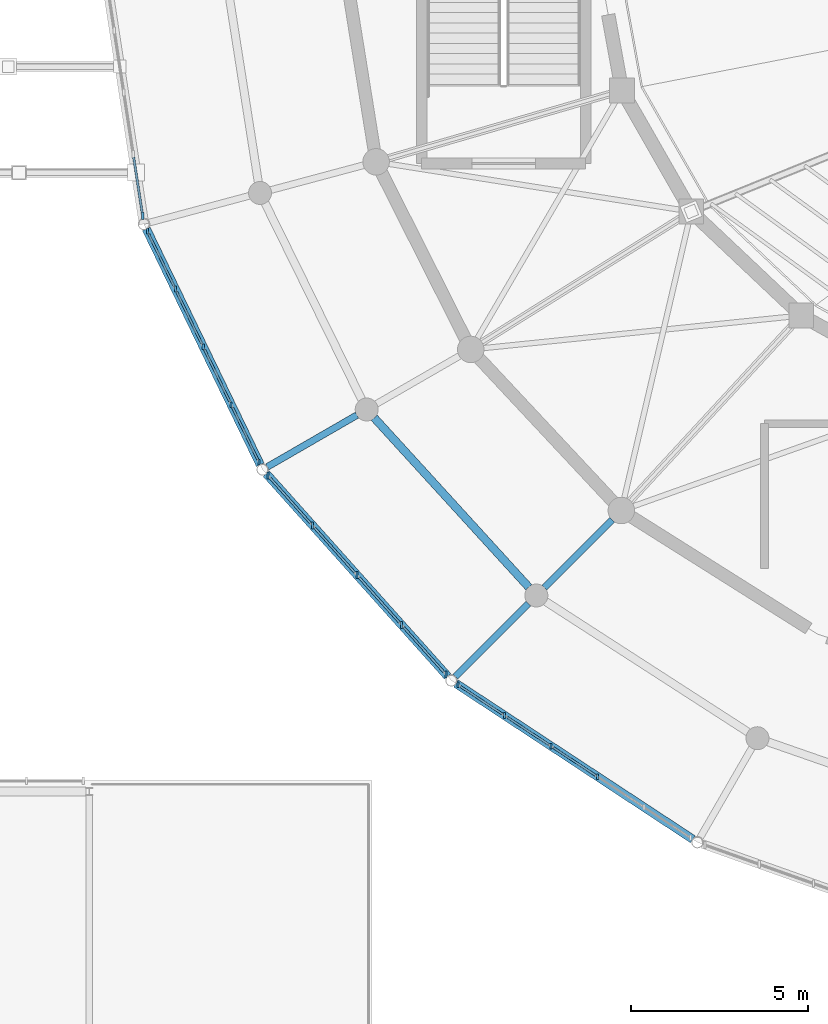
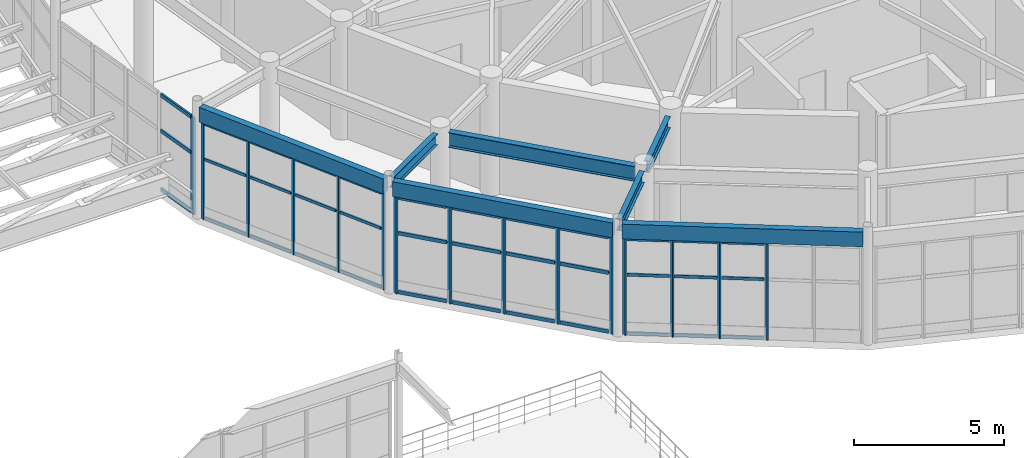
# One storey, part 34 of 144: 51 members, 7 beams, 4 elements without a shape of their own.
"""IFC4 building model written with IfcOpenShell, lengths in metres."""

from ifc_helpers import new_model, si_unit, direction, frame, origin, origin_2d, place, context, subcontext, project, spatial, rectangle, i_section, extrude, material, material_profile, profile_set, type_object, element, aggregate, save


model = new_model("IFC4")

# Units and contexts
model_context = context("Model", 3, precision=1e-05, world=origin(), true_north=direction((0.0, 1.0)))
body_context = subcontext(model_context, "Body", "Model", "MODEL_VIEW")
ifc_project = project(units=[si_unit("LENGTHUNIT", "METRE"), si_unit("AREAUNIT", "SQUARE_METRE"), si_unit("VOLUMEUNIT", "CUBIC_METRE"), si_unit("PLANEANGLEUNIT", "RADIAN"), si_unit("MASSUNIT", "GRAM", prefix="KILO")], contexts=[model_context])

# Site, building, storey
site_placement = place(None, origin())
site = spatial("IfcSite", under=ifc_project, at=site_placement, CompositionType="ELEMENT")
building_placement = place(site_placement, origin())
building = spatial("IfcBuilding", under=site, at=building_placement, Name="Cinderbank Siding Concert Hall", CompositionType="ELEMENT")
storey_placement = place(building_placement, frame((0.0, 0.0, 5.39990234375)))
storey = spatial("IfcBuildingStorey", under=building, at=storey_placement, Name="L02", CompositionType="ELEMENT", Elevation=5.39990234375)

# Beams
ifc_material_1 = material(Name="Structural steel AS/NZS 3679.1 Grade 350 (340 MPa)", Category="steel")
ifc_material_profile_1 = material_profile(ifc_material_1, i_section(OverallWidth=0.19091796875, OverallDepth=0.46044921875, WebThickness=0.010009765625, FlangeThickness=0.01611328125, at=origin_2d()), Name="460UB82.1", Category="LoadBearing")
ifc_profile_set_1 = profile_set([ifc_material_profile_1], Name="Structural steel AS/NZS 3679.1 Grade 350 (340 MPa)")
beam_type_1 = type_object("IfcBeamType", Name="BM-UB460H 460UB82.1", PredefinedType="BEAM", material=ifc_profile_set_1)
beam_1_placement = place(storey_placement, frame((102.7900390625, 28.18408203125, 4.2919921875), z_axis=(-0.707151723938, -0.707061835578, 0.0), x_axis=(0.707061835578, -0.707151723938, 0.0)))
element("IfcBeam", 1, at=beam_1_placement, inside=storey, type_object=beam_type_1, Name="L02 Beam BM-UB460H #512", PredefinedType="BEAM", context=body_context, shape_type="SweptSolid", body=[
    extrude(i_section(OverallWidth=0.19091796875, OverallDepth=0.46044921875, WebThickness=0.010009765625, FlangeThickness=0.01611328125, at=origin_2d()), origin(), (0.0, 0.0, 1.0), 2.716064453125),
])
beam_2_placement = place(storey_placement, frame((95.571533203125, 31.1416015625, 4.331787109375), z_axis=(-0.866013467834, -0.500020673103, 0.0), x_axis=(0.500020673103, -0.866013467834, 0.0)))
element("IfcBeam", 2, at=beam_2_placement, inside=storey, type_object=beam_type_1, Name="L02 Beam BM-UB460H #535", PredefinedType="BEAM", context=body_context, shape_type="SweptSolid", body=[
    extrude(i_section(OverallWidth=0.19091796875, OverallDepth=0.46044921875, WebThickness=0.010009765625, FlangeThickness=0.01611328125, at=origin_2d()), origin(), (0.0, 0.0, 1.0), 2.92919921875),
])
beam_3_placement = place(storey_placement, frame((100.421142578125, 25.815185546875, 4.331787109375), z_axis=(-0.707106781187, -0.707106781187, 0.0), x_axis=(0.707106781187, -0.707106781187, 0.0)))
element("IfcBeam", 3, at=beam_3_placement, inside=storey, type_object=beam_type_1, Name="L02 Beam BM-UB460H #536", PredefinedType="BEAM", context=body_context, shape_type="SweptSolid", body=[
    extrude(i_section(OverallWidth=0.19091796875, OverallDepth=0.46044921875, WebThickness=0.010009765625, FlangeThickness=0.01611328125, at=origin_2d()), origin(), (0.0, 0.0, 1.0), 2.928955078125),
])
ifc_material_profile_2 = material_profile(ifc_material_1, i_section(OverallWidth=0.22802734375, OverallDepth=0.60693359375, WebThickness=0.01123046875, FlangeThickness=0.017333984375, at=origin_2d()), Name="610UB113", Category="LoadBearing")
ifc_profile_set_2 = profile_set([ifc_material_profile_2], Name="Structural steel AS/NZS 3679.1 Grade 350 (340 MPa)")
beam_type_2 = type_object("IfcBeamType", Name="BM-UB610M 610UB113", PredefinedType="BEAM", material=ifc_profile_set_2)
beam_4_placement = place(storey_placement, frame((96.059814453125, 31.06591796875, 4.218505859375), z_axis=(0.67395874418, -0.73876898361, 0.0), x_axis=(0.73876898361, 0.67395874418, 0.0)))
element("IfcBeam", 4, at=beam_4_placement, inside=storey, type_object=beam_type_2, Name="L02 Beam BM-UB610M #454", PredefinedType="BEAM", context=body_context, shape_type="SweptSolid", body=[
    extrude(i_section(OverallWidth=0.22802734375, OverallDepth=0.60693359375, WebThickness=0.01123046875, FlangeThickness=0.017333984375, at=origin_2d()), origin(), (0.0, 0.0, 1.0), 6.48681640625),
])

# Curtain wall, members
ifc_material_2 = material(Name="Anodised aluminium alloy 6063-T6", Category="aluminium")
curtain_wall_type_1 = type_object("IfcCurtainWallType", Name="CW-02 Unitised Acoustic Curtain Wall 7800x4400", PredefinedType="NOTDEFINED", material=ifc_material_2)
curtain_wall_1_placement = place(storey_placement, origin())
curtain_wall_1 = element("IfcCurtainWall", 5, at=curtain_wall_1_placement, inside=storey, type_object=curtain_wall_type_1, Name="L02 Curtain Wall CW-02 #14", PredefinedType="NOTDEFINED")
ifc_material_profile_3 = material_profile(ifc_material_2, rectangle(XDim=0.06005859375, YDim=0.159912109375, at=origin_2d()), Name="ALU-MULL-60x160", Category="LoadBearing")
ifc_profile_set_3 = profile_set([ifc_material_profile_3], Name="Anodised aluminium alloy 6063-T6")
member_type_1 = type_object("IfcMemberType", Name="CW-ML1 Mullion 60x160", PredefinedType="MULLION", material=ifc_profile_set_3)
member_1_placement = place(storey_placement, frame((89.6435546875, 36.341796875, 0.0), z_axis=(0.0, 0.0, 1.0), x_axis=(1.0, 0.0, 0.0)))
member_1 = element("IfcMember", 6, at=member_1_placement, type_object=member_type_1, Name="CW-L02-014 Mullion 0", PredefinedType="MULLION", context=body_context, shape_type="SweptSolid", body=[
    extrude(rectangle(XDim=0.06005859375, YDim=0.159912109375, at=origin_2d()), origin(), (0.0, 0.0, 1.0), 3.947021484375),
])
member_2_placement = place(storey_placement, frame((90.433349609375, 34.707275390625, 0.0), z_axis=(0.0, 0.0, 1.0), x_axis=(1.0, 0.0, 0.0)))
member_2 = element("IfcMember", 7, at=member_2_placement, type_object=member_type_1, Name="CW-L02-014 Mullion 1", PredefinedType="MULLION", context=body_context, shape_type="SweptSolid", body=[
    extrude(rectangle(XDim=0.06005859375, YDim=0.159912109375, at=origin_2d()), origin(), (0.0, 0.0, 1.0), 3.947021484375),
])
member_3_placement = place(storey_placement, frame((91.22314453125, 33.072998046875, 0.0), z_axis=(0.0, 0.0, 1.0), x_axis=(1.0, 0.0, 0.0)))
member_3 = element("IfcMember", 8, at=member_3_placement, type_object=member_type_1, Name="CW-L02-014 Mullion 2", PredefinedType="MULLION", context=body_context, shape_type="SweptSolid", body=[
    extrude(rectangle(XDim=0.06005859375, YDim=0.159912109375, at=origin_2d()), origin(), (0.0, 0.0, 1.0), 3.947021484375),
])
member_4_placement = place(storey_placement, frame((92.012939453125, 31.438720703125, 0.0), z_axis=(0.0, 0.0, 1.0), x_axis=(1.0, 0.0, 0.0)))
member_4 = element("IfcMember", 9, at=member_4_placement, type_object=member_type_1, Name="CW-L02-014 Mullion 3", PredefinedType="MULLION", context=body_context, shape_type="SweptSolid", body=[
    extrude(rectangle(XDim=0.06005859375, YDim=0.159912109375, at=origin_2d()), origin(), (0.0, 0.0, 1.0), 3.947021484375),
])
member_5_placement = place(storey_placement, frame((92.802734375, 29.80419921875, 0.0), z_axis=(0.0, 0.0, 1.0), x_axis=(1.0, 0.0, 0.0)))
member_5 = element("IfcMember", 10, at=member_5_placement, type_object=member_type_1, Name="CW-L02-014 Mullion 4", PredefinedType="MULLION", context=body_context, shape_type="SweptSolid", body=[
    extrude(rectangle(XDim=0.06005859375, YDim=0.159912109375, at=origin_2d()), origin(), (0.0, 0.0, 1.0), 3.947021484375),
])

curtain_wall_type_2 = type_object("IfcCurtainWallType", Name="CW-04 Unitised Acoustic Curtain Wall 7000x4400", PredefinedType="NOTDEFINED", material=ifc_material_2)
curtain_wall_2_placement = place(storey_placement, origin())
curtain_wall_2 = element("IfcCurtainWall", 11, at=curtain_wall_2_placement, inside=storey, type_object=curtain_wall_type_2, Name="L02 Curtain Wall CW-04 #16", PredefinedType="NOTDEFINED")
member_6_placement = place(storey_placement, frame((98.430908203125, 23.510498046875, 0.0), z_axis=(0.0, 0.0, 1.0), x_axis=(1.0, 0.0, 0.0)))
member_6 = element("IfcMember", 12, at=member_6_placement, type_object=member_type_1, Name="CW-L02-016 Mullion 0", PredefinedType="MULLION", context=body_context, shape_type="SweptSolid", body=[
    extrude(rectangle(XDim=0.06005859375, YDim=0.159912109375, at=origin_2d()), origin(), (0.0, 0.0, 1.0), 3.947021484375),
])
member_7_placement = place(storey_placement, frame((99.74658203125, 22.64501953125, 0.0), z_axis=(0.0, 0.0, 1.0), x_axis=(1.0, 0.0, 0.0)))
member_7 = element("IfcMember", 13, at=member_7_placement, type_object=member_type_1, Name="CW-L02-016 Mullion 1", PredefinedType="MULLION", context=body_context, shape_type="SweptSolid", body=[
    extrude(rectangle(XDim=0.06005859375, YDim=0.159912109375, at=origin_2d()), origin(), (0.0, 0.0, 1.0), 3.947021484375),
])
member_8_placement = place(storey_placement, frame((101.0625, 21.779541015625, 0.0), z_axis=(0.0, 0.0, 1.0), x_axis=(1.0, 0.0, 0.0)))
member_8 = element("IfcMember", 14, at=member_8_placement, type_object=member_type_1, Name="CW-L02-016 Mullion 2", PredefinedType="MULLION", context=body_context, shape_type="SweptSolid", body=[
    extrude(rectangle(XDim=0.06005859375, YDim=0.159912109375, at=origin_2d()), origin(), (0.0, 0.0, 1.0), 3.947021484375),
])
member_9_placement = place(storey_placement, frame((102.378662109375, 20.914306640625, 0.0), z_axis=(0.0, 0.0, 1.0), x_axis=(1.0, 0.0, 0.0)))
member_9 = element("IfcMember", 15, at=member_9_placement, type_object=member_type_1, Name="CW-L02-016 Mullion 3", PredefinedType="MULLION", context=body_context, shape_type="SweptSolid", body=[
    extrude(rectangle(XDim=0.06005859375, YDim=0.159912109375, at=origin_2d()), origin(), (0.0, 0.0, 1.0), 3.947021484375),
])

# Curtain wall, member
curtain_wall_type_3 = type_object("IfcCurtainWallType", Name="CW-01 Unitised Acoustic Curtain Wall 8200x4400", PredefinedType="NOTDEFINED", material=ifc_material_2)
curtain_wall_3_placement = place(storey_placement, origin())
curtain_wall_3 = element("IfcCurtainWall", 16, at=curtain_wall_3_placement, inside=storey, type_object=curtain_wall_type_3, Name="L02 Curtain Wall CW-01 #13", PredefinedType="NOTDEFINED")
ifc_material_profile_4 = material_profile(ifc_material_2, rectangle(XDim=0.06494140625, YDim=0.199951171875, at=origin_2d()), Name="ALU-MULL-65x200", Category="LoadBearing")
ifc_profile_set_4 = profile_set([ifc_material_profile_4], Name="Anodised aluminium alloy 6063-T6")
member_type_2 = type_object("IfcMemberType", Name="CW-ML2 Mullion 65x200", PredefinedType="MULLION", material=ifc_profile_set_4)
member_10_placement = place(storey_placement, frame((89.510498046875, 36.770263671875, 0.0), z_axis=(0.0, 0.0, 1.0), x_axis=(1.0, 0.0, 0.0)))
member_10 = element("IfcMember", 17, at=member_10_placement, type_object=member_type_2, Name="CW-L02-013 Mullion 4", PredefinedType="MULLION", context=body_context, shape_type="SweptSolid", body=[
    extrude(rectangle(XDim=0.06494140625, YDim=0.199951171875, at=origin_2d()), origin(), (0.0, 0.0, 1.0), 3.947021484375),
])

# Curtain wall, members
curtain_wall_type_4 = type_object("IfcCurtainWallType", Name="CW-03 Unitised Acoustic Curtain Wall 7400x4400", PredefinedType="NOTDEFINED", material=ifc_material_2)
curtain_wall_4_placement = place(storey_placement, origin())
curtain_wall_4 = element("IfcCurtainWall", 18, at=curtain_wall_4_placement, inside=storey, type_object=curtain_wall_type_4, Name="L02 Curtain Wall CW-03 #15", PredefinedType="NOTDEFINED")
member_11_placement = place(storey_placement, frame((93.052978515625, 29.430908203125, 0.0), z_axis=(0.0, 0.0, 1.0), x_axis=(1.0, 0.0, 0.0)))
member_11 = element("IfcMember", 19, at=member_11_placement, type_object=member_type_2, Name="CW-L02-015 Mullion 0", PredefinedType="MULLION", context=body_context, shape_type="SweptSolid", body=[
    extrude(rectangle(XDim=0.06494140625, YDim=0.199951171875, at=origin_2d()), origin(), (0.0, 0.0, 1.0), 3.947021484375),
])
member_12_placement = place(storey_placement, frame((94.31201171875, 28.0244140625, 0.0), z_axis=(0.0, 0.0, 1.0), x_axis=(1.0, 0.0, 0.0)))
member_12 = element("IfcMember", 20, at=member_12_placement, type_object=member_type_2, Name="CW-L02-015 Mullion 1", PredefinedType="MULLION", context=body_context, shape_type="SweptSolid", body=[
    extrude(rectangle(XDim=0.06494140625, YDim=0.199951171875, at=origin_2d()), origin(), (0.0, 0.0, 1.0), 3.947021484375),
])
member_13_placement = place(storey_placement, frame((95.5712890625, 26.61767578125, 0.0), z_axis=(0.0, 0.0, 1.0), x_axis=(1.0, 0.0, 0.0)))
member_13 = element("IfcMember", 21, at=member_13_placement, type_object=member_type_2, Name="CW-L02-015 Mullion 2", PredefinedType="MULLION", context=body_context, shape_type="SweptSolid", body=[
    extrude(rectangle(XDim=0.06494140625, YDim=0.199951171875, at=origin_2d()), origin(), (0.0, 0.0, 1.0), 3.947021484375),
])
member_14_placement = place(storey_placement, frame((96.83056640625, 25.2109375, 0.0), z_axis=(0.0, 0.0, 1.0), x_axis=(1.0, 0.0, 0.0)))
member_14 = element("IfcMember", 22, at=member_14_placement, type_object=member_type_2, Name="CW-L02-015 Mullion 3", PredefinedType="MULLION", context=body_context, shape_type="SweptSolid", body=[
    extrude(rectangle(XDim=0.06494140625, YDim=0.199951171875, at=origin_2d()), origin(), (0.0, 0.0, 1.0), 3.947021484375),
])
member_15_placement = place(storey_placement, frame((98.08984375, 23.804443359375, 0.0), z_axis=(0.0, 0.0, 1.0), x_axis=(1.0, 0.0, 0.0)))
member_15 = element("IfcMember", 23, at=member_15_placement, type_object=member_type_2, Name="CW-L02-015 Mullion 4", PredefinedType="MULLION", context=body_context, shape_type="SweptSolid", body=[
    extrude(rectangle(XDim=0.06494140625, YDim=0.199951171875, at=origin_2d()), origin(), (0.0, 0.0, 1.0), 3.947021484375),
])

# Member
ifc_material_profile_5 = material_profile(ifc_material_2, rectangle(XDim=0.06005859375, YDim=0.1201171875, at=origin_2d()), Name="ALU-TRAN-60x120", Category="LoadBearing")
ifc_profile_set_5 = profile_set([ifc_material_profile_5], Name="Anodised aluminium alloy 6063-T6")
member_type_3 = type_object("IfcMemberType", Name="CW-TR1 Transom 60x120", PredefinedType="USERDEFINED", material=ifc_profile_set_5)
member_16_placement = place(storey_placement, frame((89.68310546875, 36.260009765625, 0.06005859375), z_axis=(0.435037415308, -0.900412376238, 0.0), x_axis=(0.900412376238, 0.435037415308, 0.0)))
member_16 = element("IfcMember", 24, at=member_16_placement, type_object=member_type_3, Name="CW-L02-014 Transom 0-0", ObjectType="TRANSOM", PredefinedType="USERDEFINED", context=body_context, shape_type="SweptSolid", body=[
    extrude(rectangle(XDim=0.06005859375, YDim=0.1201171875, at=origin_2d()), origin(), (0.0, 0.0, 1.0), 1.633544921875),
])

member_17_placement = place(storey_placement, frame((89.68310546875, 36.260009765625, 2.447265625), z_axis=(0.435037415308, -0.900412376238, 0.0), x_axis=(0.900412376238, 0.435037415308, 0.0)))
member_17 = element("IfcMember", 25, at=member_17_placement, type_object=member_type_3, Name="CW-L02-014 Transom 0-1", ObjectType="TRANSOM", PredefinedType="USERDEFINED", context=body_context, shape_type="SweptSolid", body=[
    extrude(rectangle(XDim=0.06005859375, YDim=0.1201171875, at=origin_2d()), origin(), (0.0, 0.0, 1.0), 1.633544921875),
])

member_18_placement = place(storey_placement, frame((89.68310546875, 36.260009765625, 3.88720703125), z_axis=(0.435037415308, -0.900412376238, 0.0), x_axis=(0.900412376238, 0.435037415308, 0.0)))
member_18 = element("IfcMember", 26, at=member_18_placement, type_object=member_type_3, Name="CW-L02-014 Transom 0-2", ObjectType="TRANSOM", PredefinedType="USERDEFINED", context=body_context, shape_type="SweptSolid", body=[
    extrude(rectangle(XDim=0.06005859375, YDim=0.1201171875, at=origin_2d()), origin(), (0.0, 0.0, 1.0), 1.633544921875),
])

member_19_placement = place(storey_placement, frame((90.472900390625, 34.62548828125, 0.06005859375), z_axis=(0.435095962233, -0.900384086737, 0.0), x_axis=(0.900384086737, 0.435095962233, 0.0)))
member_19 = element("IfcMember", 27, at=member_19_placement, type_object=member_type_3, Name="CW-L02-014 Transom 1-0", ObjectType="TRANSOM", PredefinedType="USERDEFINED", context=body_context, shape_type="SweptSolid", body=[
    extrude(rectangle(XDim=0.06005859375, YDim=0.1201171875, at=origin_2d()), origin(), (0.0, 0.0, 1.0), 1.63330078125),
])

member_20_placement = place(storey_placement, frame((90.472900390625, 34.62548828125, 2.447265625), z_axis=(0.435095962233, -0.900384086737, 0.0), x_axis=(0.900384086737, 0.435095962233, 0.0)))
member_20 = element("IfcMember", 28, at=member_20_placement, type_object=member_type_3, Name="CW-L02-014 Transom 1-1", ObjectType="TRANSOM", PredefinedType="USERDEFINED", context=body_context, shape_type="SweptSolid", body=[
    extrude(rectangle(XDim=0.06005859375, YDim=0.1201171875, at=origin_2d()), origin(), (0.0, 0.0, 1.0), 1.63330078125),
])

member_21_placement = place(storey_placement, frame((90.472900390625, 34.62548828125, 3.88720703125), z_axis=(0.435095962233, -0.900384086737, 0.0), x_axis=(0.900384086737, 0.435095962233, 0.0)))
member_21 = element("IfcMember", 29, at=member_21_placement, type_object=member_type_3, Name="CW-L02-014 Transom 1-2", ObjectType="TRANSOM", PredefinedType="USERDEFINED", context=body_context, shape_type="SweptSolid", body=[
    extrude(rectangle(XDim=0.06005859375, YDim=0.1201171875, at=origin_2d()), origin(), (0.0, 0.0, 1.0), 1.63330078125),
])

member_22_placement = place(storey_placement, frame((91.2626953125, 32.9912109375, 0.06005859375), z_axis=(0.435095962233, -0.900384086737, 0.0), x_axis=(0.900384086737, 0.435095962233, 0.0)))
member_22 = element("IfcMember", 30, at=member_22_placement, type_object=member_type_3, Name="CW-L02-014 Transom 2-0", ObjectType="TRANSOM", PredefinedType="USERDEFINED", context=body_context, shape_type="SweptSolid", body=[
    extrude(rectangle(XDim=0.06005859375, YDim=0.1201171875, at=origin_2d()), origin(), (0.0, 0.0, 1.0), 1.63330078125),
])

member_23_placement = place(storey_placement, frame((91.2626953125, 32.9912109375, 2.447265625), z_axis=(0.435095962233, -0.900384086737, 0.0), x_axis=(0.900384086737, 0.435095962233, 0.0)))
member_23 = element("IfcMember", 31, at=member_23_placement, type_object=member_type_3, Name="CW-L02-014 Transom 2-1", ObjectType="TRANSOM", PredefinedType="USERDEFINED", context=body_context, shape_type="SweptSolid", body=[
    extrude(rectangle(XDim=0.06005859375, YDim=0.1201171875, at=origin_2d()), origin(), (0.0, 0.0, 1.0), 1.63330078125),
])

member_24_placement = place(storey_placement, frame((91.2626953125, 32.9912109375, 3.88720703125), z_axis=(0.435095962233, -0.900384086737, 0.0), x_axis=(0.900384086737, 0.435095962233, 0.0)))
member_24 = element("IfcMember", 32, at=member_24_placement, type_object=member_type_3, Name="CW-L02-014 Transom 2-2", ObjectType="TRANSOM", PredefinedType="USERDEFINED", context=body_context, shape_type="SweptSolid", body=[
    extrude(rectangle(XDim=0.06005859375, YDim=0.1201171875, at=origin_2d()), origin(), (0.0, 0.0, 1.0), 1.63330078125),
])

member_25_placement = place(storey_placement, frame((92.052490234375, 31.35693359375, 0.06005859375), z_axis=(0.435037415308, -0.900412376238, 0.0), x_axis=(0.900412376238, 0.435037415308, 0.0)))
member_25 = element("IfcMember", 33, at=member_25_placement, type_object=member_type_3, Name="CW-L02-014 Transom 3-0", ObjectType="TRANSOM", PredefinedType="USERDEFINED", context=body_context, shape_type="SweptSolid", body=[
    extrude(rectangle(XDim=0.06005859375, YDim=0.1201171875, at=origin_2d()), origin(), (0.0, 0.0, 1.0), 1.633544921875),
])

member_26_placement = place(storey_placement, frame((92.052490234375, 31.35693359375, 2.447265625), z_axis=(0.435037415308, -0.900412376238, 0.0), x_axis=(0.900412376238, 0.435037415308, 0.0)))
member_26 = element("IfcMember", 34, at=member_26_placement, type_object=member_type_3, Name="CW-L02-014 Transom 3-1", ObjectType="TRANSOM", PredefinedType="USERDEFINED", context=body_context, shape_type="SweptSolid", body=[
    extrude(rectangle(XDim=0.06005859375, YDim=0.1201171875, at=origin_2d()), origin(), (0.0, 0.0, 1.0), 1.633544921875),
])

member_27_placement = place(storey_placement, frame((92.052490234375, 31.35693359375, 3.88720703125), z_axis=(0.435037415308, -0.900412376238, 0.0), x_axis=(0.900412376238, 0.435037415308, 0.0)))
member_27 = element("IfcMember", 35, at=member_27_placement, type_object=member_type_3, Name="CW-L02-014 Transom 3-2", ObjectType="TRANSOM", PredefinedType="USERDEFINED", context=body_context, shape_type="SweptSolid", body=[
    extrude(rectangle(XDim=0.06005859375, YDim=0.1201171875, at=origin_2d()), origin(), (0.0, 0.0, 1.0), 1.633544921875),
])

aggregate(curtain_wall_1, [member_1, member_2, member_3, member_4, member_5, member_16, member_17, member_18, member_19, member_20, member_21, member_22, member_23, member_24, member_25, member_26, member_27])

member_28_placement = place(storey_placement, frame((98.49658203125, 23.46728515625, 0.06005859375), z_axis=(0.835531529407, -0.549442502331, 0.0), x_axis=(0.549442502331, 0.835531529407, 0.0)))
member_28 = element("IfcMember", 36, at=member_28_placement, type_object=member_type_3, Name="CW-L02-016 Transom 0-0", ObjectType="TRANSOM", PredefinedType="USERDEFINED", context=body_context, shape_type="SweptSolid", body=[
    extrude(rectangle(XDim=0.06005859375, YDim=0.1201171875, at=origin_2d()), origin(), (0.0, 0.0, 1.0), 1.41748046875),
])

member_29_placement = place(storey_placement, frame((98.49658203125, 23.46728515625, 2.447265625), z_axis=(0.835531529407, -0.549442502331, 0.0), x_axis=(0.549442502331, 0.835531529407, 0.0)))
member_29 = element("IfcMember", 37, at=member_29_placement, type_object=member_type_3, Name="CW-L02-016 Transom 0-1", ObjectType="TRANSOM", PredefinedType="USERDEFINED", context=body_context, shape_type="SweptSolid", body=[
    extrude(rectangle(XDim=0.06005859375, YDim=0.1201171875, at=origin_2d()), origin(), (0.0, 0.0, 1.0), 1.41748046875),
])

member_30_placement = place(storey_placement, frame((98.49658203125, 23.46728515625, 3.88720703125), z_axis=(0.835531529407, -0.549442502331, 0.0), x_axis=(0.549442502331, 0.835531529407, 0.0)))
member_30 = element("IfcMember", 38, at=member_30_placement, type_object=member_type_3, Name="CW-L02-016 Transom 0-2", ObjectType="TRANSOM", PredefinedType="USERDEFINED", context=body_context, shape_type="SweptSolid", body=[
    extrude(rectangle(XDim=0.06005859375, YDim=0.1201171875, at=origin_2d()), origin(), (0.0, 0.0, 1.0), 1.41748046875),
])

member_31_placement = place(storey_placement, frame((99.8125, 22.601806640625, 0.06005859375), z_axis=(0.835531529407, -0.549442502331, 0.0), x_axis=(0.549442502331, 0.835531529407, 0.0)))
member_31 = element("IfcMember", 39, at=member_31_placement, type_object=member_type_3, Name="CW-L02-016 Transom 1-0", ObjectType="TRANSOM", PredefinedType="USERDEFINED", context=body_context, shape_type="SweptSolid", body=[
    extrude(rectangle(XDim=0.06005859375, YDim=0.1201171875, at=origin_2d()), origin(), (0.0, 0.0, 1.0), 1.41748046875),
])

member_32_placement = place(storey_placement, frame((99.8125, 22.601806640625, 2.447265625), z_axis=(0.835531529407, -0.549442502331, 0.0), x_axis=(0.549442502331, 0.835531529407, 0.0)))
member_32 = element("IfcMember", 40, at=member_32_placement, type_object=member_type_3, Name="CW-L02-016 Transom 1-1", ObjectType="TRANSOM", PredefinedType="USERDEFINED", context=body_context, shape_type="SweptSolid", body=[
    extrude(rectangle(XDim=0.06005859375, YDim=0.1201171875, at=origin_2d()), origin(), (0.0, 0.0, 1.0), 1.41748046875),
])

member_33_placement = place(storey_placement, frame((99.8125, 22.601806640625, 3.88720703125), z_axis=(0.835531529407, -0.549442502331, 0.0), x_axis=(0.549442502331, 0.835531529407, 0.0)))
member_33 = element("IfcMember", 41, at=member_33_placement, type_object=member_type_3, Name="CW-L02-016 Transom 1-2", ObjectType="TRANSOM", PredefinedType="USERDEFINED", context=body_context, shape_type="SweptSolid", body=[
    extrude(rectangle(XDim=0.06005859375, YDim=0.1201171875, at=origin_2d()), origin(), (0.0, 0.0, 1.0), 1.41748046875),
])

member_34_placement = place(storey_placement, frame((101.12841796875, 21.736328125, 0.06005859375), z_axis=(0.835531529407, -0.549442502331, 0.0), x_axis=(0.549442502331, 0.835531529407, 0.0)))
member_34 = element("IfcMember", 42, at=member_34_placement, type_object=member_type_3, Name="CW-L02-016 Transom 2-0", ObjectType="TRANSOM", PredefinedType="USERDEFINED", context=body_context, shape_type="SweptSolid", body=[
    extrude(rectangle(XDim=0.06005859375, YDim=0.1201171875, at=origin_2d()), origin(), (0.0, 0.0, 1.0), 1.41748046875),
])

member_35_placement = place(storey_placement, frame((101.12841796875, 21.736328125, 2.447265625), z_axis=(0.835531529407, -0.549442502331, 0.0), x_axis=(0.549442502331, 0.835531529407, 0.0)))
member_35 = element("IfcMember", 43, at=member_35_placement, type_object=member_type_3, Name="CW-L02-016 Transom 2-1", ObjectType="TRANSOM", PredefinedType="USERDEFINED", context=body_context, shape_type="SweptSolid", body=[
    extrude(rectangle(XDim=0.06005859375, YDim=0.1201171875, at=origin_2d()), origin(), (0.0, 0.0, 1.0), 1.41748046875),
])

member_36_placement = place(storey_placement, frame((101.12841796875, 21.736328125, 3.88720703125), z_axis=(0.835531529407, -0.549442502331, 0.0), x_axis=(0.549442502331, 0.835531529407, 0.0)))
member_36 = element("IfcMember", 44, at=member_36_placement, type_object=member_type_3, Name="CW-L02-016 Transom 2-2", ObjectType="TRANSOM", PredefinedType="USERDEFINED", context=body_context, shape_type="SweptSolid", body=[
    extrude(rectangle(XDim=0.06005859375, YDim=0.1201171875, at=origin_2d()), origin(), (0.0, 0.0, 1.0), 1.41748046875),
])

aggregate(curtain_wall_2, [member_6, member_7, member_8, member_9, member_28, member_29, member_30, member_31, member_32, member_33, member_34, member_35, member_36])

ifc_material_profile_6 = material_profile(ifc_material_2, rectangle(XDim=0.06494140625, YDim=0.14990234375, at=origin_2d()), Name="ALU-TRAN-65x150", Category="LoadBearing")
ifc_profile_set_6 = profile_set([ifc_material_profile_6], Name="Anodised aluminium alloy 6063-T6")
member_type_4 = type_object("IfcMemberType", Name="CW-TR2 Transom 65x150", PredefinedType="USERDEFINED", material=ifc_profile_set_6)
member_37_placement = place(storey_placement, frame((89.2548828125, 38.43408203125, 0.06005859375), z_axis=(0.151873110161, -0.988399999196, 0.0), x_axis=(0.988399999196, 0.151873110161, 0.0)))
member_37 = element("IfcMember", 45, at=member_37_placement, type_object=member_type_4, Name="CW-L02-013 Transom 3-0", ObjectType="TRANSOM", PredefinedType="USERDEFINED", context=body_context, shape_type="SweptSolid", body=[
    extrude(rectangle(XDim=0.06494140625, YDim=0.14990234375, at=origin_2d()), origin(), (0.0, 0.0, 1.0), 1.5947265625),
])

member_38_placement = place(storey_placement, frame((89.2548828125, 38.43408203125, 2.447265625), z_axis=(0.151873110161, -0.988399999196, 0.0), x_axis=(0.988399999196, 0.151873110161, 0.0)))
member_38 = element("IfcMember", 46, at=member_38_placement, type_object=member_type_4, Name="CW-L02-013 Transom 3-1", ObjectType="TRANSOM", PredefinedType="USERDEFINED", context=body_context, shape_type="SweptSolid", body=[
    extrude(rectangle(XDim=0.06494140625, YDim=0.14990234375, at=origin_2d()), origin(), (0.0, 0.0, 1.0), 1.5947265625),
])

member_39_placement = place(storey_placement, frame((89.2548828125, 38.43408203125, 3.88720703125), z_axis=(0.151873110161, -0.988399999196, 0.0), x_axis=(0.988399999196, 0.151873110161, 0.0)))
member_39 = element("IfcMember", 47, at=member_39_placement, type_object=member_type_4, Name="CW-L02-013 Transom 3-2", ObjectType="TRANSOM", PredefinedType="USERDEFINED", context=body_context, shape_type="SweptSolid", body=[
    extrude(rectangle(XDim=0.06494140625, YDim=0.14990234375, at=origin_2d()), origin(), (0.0, 0.0, 1.0), 1.5947265625),
])

aggregate(curtain_wall_3, [member_10, member_37, member_38, member_39])

member_40_placement = place(storey_placement, frame((93.11572265625, 29.360595703125, 0.06005859375), z_axis=(0.667025792822, -0.745034624504, 0.0), x_axis=(0.745034624504, 0.667025792822, 0.0)))
member_40 = element("IfcMember", 48, at=member_40_placement, type_object=member_type_4, Name="CW-L02-015 Transom 0-0", ObjectType="TRANSOM", PredefinedType="USERDEFINED", context=body_context, shape_type="SweptSolid", body=[
    extrude(rectangle(XDim=0.06494140625, YDim=0.14990234375, at=origin_2d()), origin(), (0.0, 0.0, 1.0), 1.699462890625),
])

member_41_placement = place(storey_placement, frame((93.11572265625, 29.360595703125, 2.447265625), z_axis=(0.667025792822, -0.745034624504, 0.0), x_axis=(0.745034624504, 0.667025792822, 0.0)))
member_41 = element("IfcMember", 49, at=member_41_placement, type_object=member_type_4, Name="CW-L02-015 Transom 0-1", ObjectType="TRANSOM", PredefinedType="USERDEFINED", context=body_context, shape_type="SweptSolid", body=[
    extrude(rectangle(XDim=0.06494140625, YDim=0.14990234375, at=origin_2d()), origin(), (0.0, 0.0, 1.0), 1.699462890625),
])

member_42_placement = place(storey_placement, frame((93.11572265625, 29.360595703125, 3.88720703125), z_axis=(0.667025792822, -0.745034624504, 0.0), x_axis=(0.745034624504, 0.667025792822, 0.0)))
member_42 = element("IfcMember", 50, at=member_42_placement, type_object=member_type_4, Name="CW-L02-015 Transom 0-2", ObjectType="TRANSOM", PredefinedType="USERDEFINED", context=body_context, shape_type="SweptSolid", body=[
    extrude(rectangle(XDim=0.06494140625, YDim=0.14990234375, at=origin_2d()), origin(), (0.0, 0.0, 1.0), 1.699462890625),
])

member_43_placement = place(storey_placement, frame((94.375, 27.953857421875, 0.06005859375), z_axis=(0.667017441515, -0.745042101304, 0.0), x_axis=(0.745042101304, 0.667017441515, 0.0)))
member_43 = element("IfcMember", 51, at=member_43_placement, type_object=member_type_4, Name="CW-L02-015 Transom 1-0", ObjectType="TRANSOM", PredefinedType="USERDEFINED", context=body_context, shape_type="SweptSolid", body=[
    extrude(rectangle(XDim=0.06494140625, YDim=0.14990234375, at=origin_2d()), origin(), (0.0, 0.0, 1.0), 1.698974609375),
])

member_44_placement = place(storey_placement, frame((94.375, 27.953857421875, 2.447265625), z_axis=(0.667017441515, -0.745042101304, 0.0), x_axis=(0.745042101304, 0.667017441515, 0.0)))
member_44 = element("IfcMember", 52, at=member_44_placement, type_object=member_type_4, Name="CW-L02-015 Transom 1-1", ObjectType="TRANSOM", PredefinedType="USERDEFINED", context=body_context, shape_type="SweptSolid", body=[
    extrude(rectangle(XDim=0.06494140625, YDim=0.14990234375, at=origin_2d()), origin(), (0.0, 0.0, 1.0), 1.698974609375),
])

member_45_placement = place(storey_placement, frame((94.375, 27.953857421875, 3.88720703125), z_axis=(0.667017441515, -0.745042101304, 0.0), x_axis=(0.745042101304, 0.667017441515, 0.0)))
member_45 = element("IfcMember", 53, at=member_45_placement, type_object=member_type_4, Name="CW-L02-015 Transom 1-2", ObjectType="TRANSOM", PredefinedType="USERDEFINED", context=body_context, shape_type="SweptSolid", body=[
    extrude(rectangle(XDim=0.06494140625, YDim=0.14990234375, at=origin_2d()), origin(), (0.0, 0.0, 1.0), 1.698974609375),
])

member_46_placement = place(storey_placement, frame((95.63427734375, 26.54736328125, 0.06005859375), z_axis=(0.667017441515, -0.745042101304, 0.0), x_axis=(0.745042101304, 0.667017441515, 0.0)))
member_46 = element("IfcMember", 54, at=member_46_placement, type_object=member_type_4, Name="CW-L02-015 Transom 2-0", ObjectType="TRANSOM", PredefinedType="USERDEFINED", context=body_context, shape_type="SweptSolid", body=[
    extrude(rectangle(XDim=0.06494140625, YDim=0.14990234375, at=origin_2d()), origin(), (0.0, 0.0, 1.0), 1.698974609375),
])

member_47_placement = place(storey_placement, frame((95.63427734375, 26.54736328125, 2.447265625), z_axis=(0.667017441515, -0.745042101304, 0.0), x_axis=(0.745042101304, 0.667017441515, 0.0)))
member_47 = element("IfcMember", 55, at=member_47_placement, type_object=member_type_4, Name="CW-L02-015 Transom 2-1", ObjectType="TRANSOM", PredefinedType="USERDEFINED", context=body_context, shape_type="SweptSolid", body=[
    extrude(rectangle(XDim=0.06494140625, YDim=0.14990234375, at=origin_2d()), origin(), (0.0, 0.0, 1.0), 1.698974609375),
])

member_48_placement = place(storey_placement, frame((95.63427734375, 26.54736328125, 3.88720703125), z_axis=(0.667017441515, -0.745042101304, 0.0), x_axis=(0.745042101304, 0.667017441515, 0.0)))
member_48 = element("IfcMember", 56, at=member_48_placement, type_object=member_type_4, Name="CW-L02-015 Transom 2-2", ObjectType="TRANSOM", PredefinedType="USERDEFINED", context=body_context, shape_type="SweptSolid", body=[
    extrude(rectangle(XDim=0.06494140625, YDim=0.14990234375, at=origin_2d()), origin(), (0.0, 0.0, 1.0), 1.698974609375),
])

member_49_placement = place(storey_placement, frame((96.8935546875, 25.140625, 0.06005859375), z_axis=(0.667017441515, -0.745042101304, 0.0), x_axis=(0.745042101304, 0.667017441515, 0.0)))
member_49 = element("IfcMember", 57, at=member_49_placement, type_object=member_type_4, Name="CW-L02-015 Transom 3-0", ObjectType="TRANSOM", PredefinedType="USERDEFINED", context=body_context, shape_type="SweptSolid", body=[
    extrude(rectangle(XDim=0.06494140625, YDim=0.14990234375, at=origin_2d()), origin(), (0.0, 0.0, 1.0), 1.698974609375),
])

member_50_placement = place(storey_placement, frame((96.8935546875, 25.140625, 2.447265625), z_axis=(0.667017441515, -0.745042101304, 0.0), x_axis=(0.745042101304, 0.667017441515, 0.0)))
member_50 = element("IfcMember", 58, at=member_50_placement, type_object=member_type_4, Name="CW-L02-015 Transom 3-1", ObjectType="TRANSOM", PredefinedType="USERDEFINED", context=body_context, shape_type="SweptSolid", body=[
    extrude(rectangle(XDim=0.06494140625, YDim=0.14990234375, at=origin_2d()), origin(), (0.0, 0.0, 1.0), 1.698974609375),
])

member_51_placement = place(storey_placement, frame((96.8935546875, 25.140625, 3.88720703125), z_axis=(0.667017441515, -0.745042101304, 0.0), x_axis=(0.745042101304, 0.667017441515, 0.0)))
member_51 = element("IfcMember", 59, at=member_51_placement, type_object=member_type_4, Name="CW-L02-015 Transom 3-2", ObjectType="TRANSOM", PredefinedType="USERDEFINED", context=body_context, shape_type="SweptSolid", body=[
    extrude(rectangle(XDim=0.06494140625, YDim=0.14990234375, at=origin_2d()), origin(), (0.0, 0.0, 1.0), 1.698974609375),
])

aggregate(curtain_wall_4, [member_11, member_12, member_13, member_14, member_15, member_40, member_41, member_42, member_43, member_44, member_45, member_46, member_47, member_48, member_49, member_50, member_51])

# Beams
ifc_material_3 = material(Name="Spotted gum glulam timber GL18 (42 MPa)", Category="wood")
ifc_material_profile_7 = material_profile(ifc_material_3, rectangle(XDim=0.239990234375, YDim=0.60009765625, at=origin_2d()), Name="GL18-240x600", Category="LoadBearing")
ifc_profile_set_7 = profile_set([ifc_material_profile_7], Name="Spotted gum glulam timber GL18 (42 MPa)")
beam_type_3 = type_object("IfcBeamType", Name="SP-GL600 GL18-240x600", PredefinedType="SPANDREL", material=ifc_profile_set_7)
beam_5_placement = place(storey_placement, frame((89.61181640625, 36.407470703125, 4.26220703125), z_axis=(0.435095625105, -0.900384249648, 0.0), x_axis=(0.900384249648, 0.435095625105, 0.0)))
element("IfcBeam", 60, at=beam_5_placement, inside=storey, type_object=beam_type_3, Name="L02 Beam SP-GL600 #475", PredefinedType="SPANDREL", context=body_context, shape_type="SweptSolid", body=[
    extrude(rectangle(XDim=0.239990234375, YDim=0.60009765625, at=origin_2d()), origin(), (0.0, 0.0, 1.0), 7.40673828125),
])
beam_6_placement = place(storey_placement, frame((93.004150390625, 29.4853515625, 4.26220703125), z_axis=(0.666985816213, -0.745070413432, 0.0), x_axis=(0.745070413432, 0.666985816213, 0.0)))
element("IfcBeam", 61, at=beam_6_placement, inside=storey, type_object=beam_type_3, Name="L02 Beam SP-GL600 #476", PredefinedType="SPANDREL", context=body_context, shape_type="SweptSolid", body=[
    extrude(rectangle(XDim=0.239990234375, YDim=0.60009765625, at=origin_2d()), origin(), (0.0, 0.0, 1.0), 7.69775390625),
])
beam_7_placement = place(storey_placement, frame((98.369873046875, 23.55078125, 4.26220703125), z_axis=(0.835480702777, -0.549519786074, 0.0), x_axis=(0.549519786074, 0.835480702777, 0.0)))
element("IfcBeam", 62, at=beam_7_placement, inside=storey, type_object=beam_type_3, Name="L02 Beam SP-GL600 #477", PredefinedType="SPANDREL", context=body_context, shape_type="SweptSolid", body=[
    extrude(rectangle(XDim=0.239990234375, YDim=0.60009765625, at=origin_2d()), origin(), (0.0, 0.0, 1.0), 8.02099609375),
])

save(model, "model.ifc")
